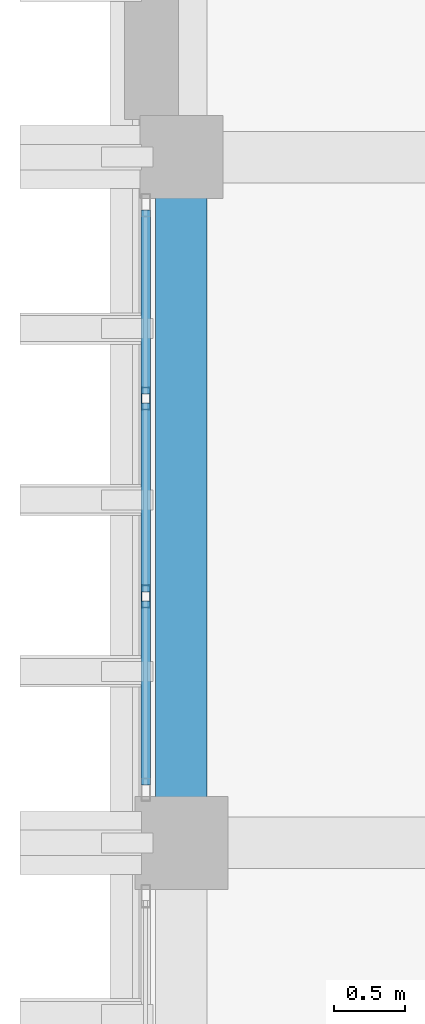
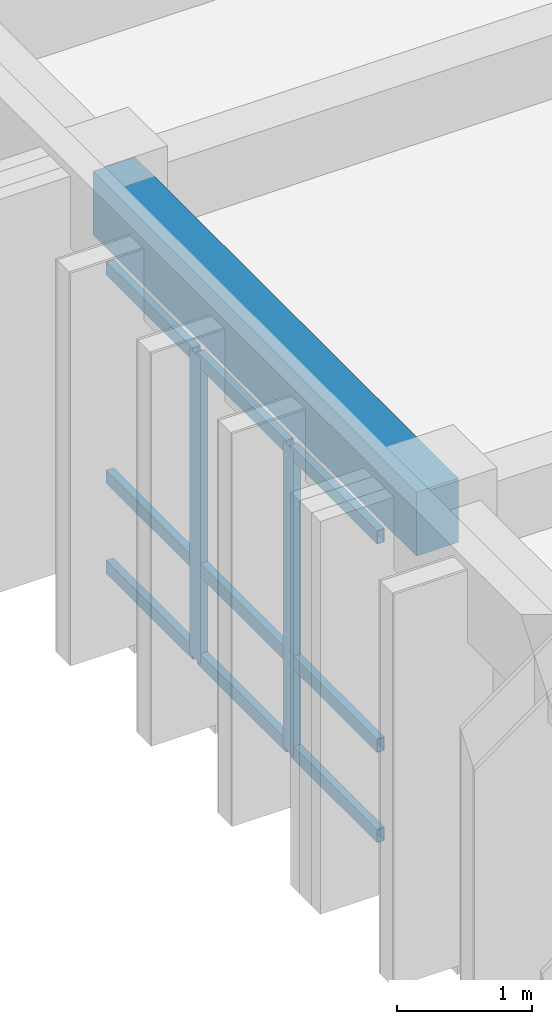
# One storey, part 29 of 49: 11 members, 1 beam, 1 element without a shape of its own.
"""IFC4 building model written with IfcOpenShell, lengths in metres."""

from ifc_helpers import new_model, si_unit, direction, frame, origin, origin_2d, place, context, subcontext, project, spatial, rectangle, hollow_rectangle, extrude, material, layer, layer_set, material_profile, profile_set, type_object, element, aggregate, save


model = new_model("IFC4")

# Units and contexts
model_context = context("Model", 3, precision=1e-05, world=origin(), true_north=direction((0.0, 1.0)))
body_context = subcontext(model_context, "Body", "Model", "MODEL_VIEW")
ifc_project = project(units=[si_unit("LENGTHUNIT", "METRE"), si_unit("AREAUNIT", "SQUARE_METRE"), si_unit("VOLUMEUNIT", "CUBIC_METRE"), si_unit("PLANEANGLEUNIT", "RADIAN"), si_unit("MASSUNIT", "GRAM", prefix="KILO")], contexts=[model_context])

# Site, building, storey
site_placement = place(None, origin())
site = spatial("IfcSite", under=ifc_project, at=site_placement, CompositionType="ELEMENT")
building_placement = place(site_placement, origin())
building = spatial("IfcBuilding", under=site, at=building_placement, Name="Nakhvara Creek Congress Hotel", CompositionType="ELEMENT")
storey_placement = place(building_placement, frame((0.0, 0.0, 39.0)))
storey = spatial("IfcBuildingStorey", under=building, at=storey_placement, Name="L09", CompositionType="ELEMENT", Elevation=39.0)

# Beam
ifc_material_1 = material(Name="Concrete C40/50", Category="concrete")
ifc_material_profile_1 = material_profile(ifc_material_1, rectangle(XDim=0.360107421875, YDim=0.580078125, at=origin_2d()), Name="RC-BM 360x580", Category="LoadBearing")
ifc_profile_set_1 = profile_set([ifc_material_profile_1], Name="Concrete C40/50")
beam_type = type_object("IfcBeamType", Name="BM-RC-360X580", PredefinedType="BEAM", material=ifc_profile_set_1)
beam_placement = place(storey_placement, frame((149.449951171875, 115.199951171875, 3.070068359375), z_axis=(0.0, 1.0, 0.0), x_axis=(-1.0, 0.0, 0.0)))
element("IfcBeam", 1, at=beam_placement, inside=storey, type_object=beam_type, Name="Beam B09-L09-2550", PredefinedType="BEAM", context=body_context, shape_type="SweptSolid", body=[
    extrude(rectangle(XDim=0.360107421875, YDim=0.580078125, at=origin_2d()), origin(), (0.0, 0.0, 1.0), 4.800048828125),
])

# Curtain wall, members
ifc_material_2 = material(Name="Bronze-anodised aluminium AW-6063-T6 and double-silver low-E glass", Category="aluminium")
ifc_layer = layer(ifc_material_2, 0.199951171875)
ifc_layer_set = layer_set([ifc_layer], Name="Bronze-anodised aluminium AW-6063-T6 and double-silver low-E glass")
curtain_wall_type = type_object("IfcCurtainWallType", Name="CW-HTL-UNIT", PredefinedType="USERDEFINED", material=ifc_layer_set)
curtain_wall_placement = place(storey_placement, origin())
curtain_wall = element("IfcCurtainWall", 2, at=curtain_wall_placement, inside=storey, type_object=curtain_wall_type, Name="Curtain Wall CW312", ObjectType="UNITISED", PredefinedType="USERDEFINED")
ifc_material_3 = material(Name="Bronze-anodised aluminium AW-6063-T6", Category="aluminium")
ifc_material_profile_2 = material_profile(ifc_material_3, hollow_rectangle(XDim=0.06494140625, YDim=0.159912109375, WallThickness=0.00390625, at=origin_2d()), Name="ALU-MULL 65x160x4", Category="LoadBearing")
ifc_profile_set_2 = profile_set([ifc_material_profile_2], Name="Bronze-anodised aluminium AW-6063-T6")
member_type_1 = type_object("IfcMemberType", Name="CW-MULL-160", PredefinedType="MULLION", material=ifc_profile_set_2)
member_1_placement = place(storey_placement, frame((149.199951171875, 116.925048828125, 0.0), z_axis=(0.0, 0.0, 1.0), x_axis=(-1.0, 0.0, 0.0)))
member_1 = element("IfcMember", 3, at=member_1_placement, type_object=member_type_1, Name="CW312 mullion 2", PredefinedType="MULLION", context=body_context, shape_type="SweptSolid", body=[
    extrude(hollow_rectangle(XDim=0.06494140625, YDim=0.159912109375, WallThickness=0.00390625, at=origin_2d()), origin(), (0.0, 0.0, 1.0), 2.77197265625),
])
member_2_placement = place(storey_placement, frame((149.199951171875, 118.31005859375, 0.0), z_axis=(0.0, 0.0, 1.0), x_axis=(-1.0, 0.0, 0.0)))
member_2 = element("IfcMember", 4, at=member_2_placement, type_object=member_type_1, Name="CW312 mullion 3", PredefinedType="MULLION", context=body_context, shape_type="SweptSolid", body=[
    extrude(hollow_rectangle(XDim=0.06494140625, YDim=0.159912109375, WallThickness=0.00390625, at=origin_2d()), origin(), (0.0, 0.0, 1.0), 2.77197265625),
])
ifc_material_profile_3 = material_profile(ifc_material_3, hollow_rectangle(XDim=0.06494140625, YDim=0.1201171875, WallThickness=0.00390625, at=origin_2d()), Name="ALU-TRAN 65x120x4", Category="LoadBearing")
ifc_profile_set_3 = profile_set([ifc_material_profile_3], Name="Bronze-anodised aluminium AW-6063-T6")
member_type_2 = type_object("IfcMemberType", Name="CW-TRAN-120", PredefinedType="USERDEFINED", material=ifc_profile_set_3)
member_3_placement = place(storey_placement, frame((149.199951171875, 115.60498046875, 0.032470703125), z_axis=(0.0, 1.0, 0.0), x_axis=(-1.0, 0.0, 0.0)))
member_3 = element("IfcMember", 5, at=member_3_placement, type_object=member_type_2, Name="CW312 transom 1.1", ObjectType="TRANSOM", PredefinedType="USERDEFINED", context=body_context, shape_type="SweptSolid", body=[
    extrude(hollow_rectangle(XDim=0.06494140625, YDim=0.1201171875, WallThickness=0.00390625, at=origin_2d()), origin(), (0.0, 0.0, 1.0), 1.28759765625),
])
member_4_placement = place(storey_placement, frame((149.199951171875, 115.60498046875, 0.85009765625), z_axis=(0.0, 1.0, 0.0), x_axis=(-1.0, 0.0, 0.0)))
member_4 = element("IfcMember", 6, at=member_4_placement, type_object=member_type_2, Name="CW312 transom 1.2", ObjectType="TRANSOM", PredefinedType="USERDEFINED", context=body_context, shape_type="SweptSolid", body=[
    extrude(hollow_rectangle(XDim=0.06494140625, YDim=0.1201171875, WallThickness=0.00390625, at=origin_2d()), origin(), (0.0, 0.0, 1.0), 1.28759765625),
])
member_5_placement = place(storey_placement, frame((149.199951171875, 115.60498046875, 2.739501953125), z_axis=(0.0, 1.0, 0.0), x_axis=(-1.0, 0.0, 0.0)))
member_5 = element("IfcMember", 7, at=member_5_placement, type_object=member_type_2, Name="CW312 transom 1.3", ObjectType="TRANSOM", PredefinedType="USERDEFINED", context=body_context, shape_type="SweptSolid", body=[
    extrude(hollow_rectangle(XDim=0.06494140625, YDim=0.1201171875, WallThickness=0.00390625, at=origin_2d()), origin(), (0.0, 0.0, 1.0), 1.28759765625),
])
member_6_placement = place(storey_placement, frame((149.199951171875, 116.95751953125, 0.032470703125), z_axis=(0.0, 1.0, 0.0), x_axis=(-1.0, 0.0, 0.0)))
member_6 = element("IfcMember", 8, at=member_6_placement, type_object=member_type_2, Name="CW312 transom 2.1", ObjectType="TRANSOM", PredefinedType="USERDEFINED", context=body_context, shape_type="SweptSolid", body=[
    extrude(hollow_rectangle(XDim=0.06494140625, YDim=0.1201171875, WallThickness=0.00390625, at=origin_2d()), origin(), (0.0, 0.0, 1.0), 1.320068359375),
])
member_7_placement = place(storey_placement, frame((149.199951171875, 116.95751953125, 0.85009765625), z_axis=(0.0, 1.0, 0.0), x_axis=(-1.0, 0.0, 0.0)))
member_7 = element("IfcMember", 9, at=member_7_placement, type_object=member_type_2, Name="CW312 transom 2.2", ObjectType="TRANSOM", PredefinedType="USERDEFINED", context=body_context, shape_type="SweptSolid", body=[
    extrude(hollow_rectangle(XDim=0.06494140625, YDim=0.1201171875, WallThickness=0.00390625, at=origin_2d()), origin(), (0.0, 0.0, 1.0), 1.320068359375),
])
member_8_placement = place(storey_placement, frame((149.199951171875, 116.95751953125, 2.739501953125), z_axis=(0.0, 1.0, 0.0), x_axis=(-1.0, 0.0, 0.0)))
member_8 = element("IfcMember", 10, at=member_8_placement, type_object=member_type_2, Name="CW312 transom 2.3", ObjectType="TRANSOM", PredefinedType="USERDEFINED", context=body_context, shape_type="SweptSolid", body=[
    extrude(hollow_rectangle(XDim=0.06494140625, YDim=0.1201171875, WallThickness=0.00390625, at=origin_2d()), origin(), (0.0, 0.0, 1.0), 1.320068359375),
])
member_9_placement = place(storey_placement, frame((149.199951171875, 118.342529296875, 0.032470703125), z_axis=(0.0, 1.0, 0.0), x_axis=(-1.0, 0.0, 0.0)))
member_9 = element("IfcMember", 11, at=member_9_placement, type_object=member_type_2, Name="CW312 transom 3.1", ObjectType="TRANSOM", PredefinedType="USERDEFINED", context=body_context, shape_type="SweptSolid", body=[
    extrude(hollow_rectangle(XDim=0.06494140625, YDim=0.1201171875, WallThickness=0.00390625, at=origin_2d()), origin(), (0.0, 0.0, 1.0), 1.287353515625),
])
member_10_placement = place(storey_placement, frame((149.199951171875, 118.342529296875, 0.85009765625), z_axis=(0.0, 1.0, 0.0), x_axis=(-1.0, 0.0, 0.0)))
member_10 = element("IfcMember", 12, at=member_10_placement, type_object=member_type_2, Name="CW312 transom 3.2", ObjectType="TRANSOM", PredefinedType="USERDEFINED", context=body_context, shape_type="SweptSolid", body=[
    extrude(hollow_rectangle(XDim=0.06494140625, YDim=0.1201171875, WallThickness=0.00390625, at=origin_2d()), origin(), (0.0, 0.0, 1.0), 1.287353515625),
])
member_11_placement = place(storey_placement, frame((149.199951171875, 118.342529296875, 2.739501953125), z_axis=(0.0, 1.0, 0.0), x_axis=(-1.0, 0.0, 0.0)))
member_11 = element("IfcMember", 13, at=member_11_placement, type_object=member_type_2, Name="CW312 transom 3.3", ObjectType="TRANSOM", PredefinedType="USERDEFINED", context=body_context, shape_type="SweptSolid", body=[
    extrude(hollow_rectangle(XDim=0.06494140625, YDim=0.1201171875, WallThickness=0.00390625, at=origin_2d()), origin(), (0.0, 0.0, 1.0), 1.287353515625),
])
aggregate(curtain_wall, [member_1, member_2, member_3, member_4, member_5, member_6, member_7, member_8, member_9, member_10, member_11])

save(model, "model.ifc")
